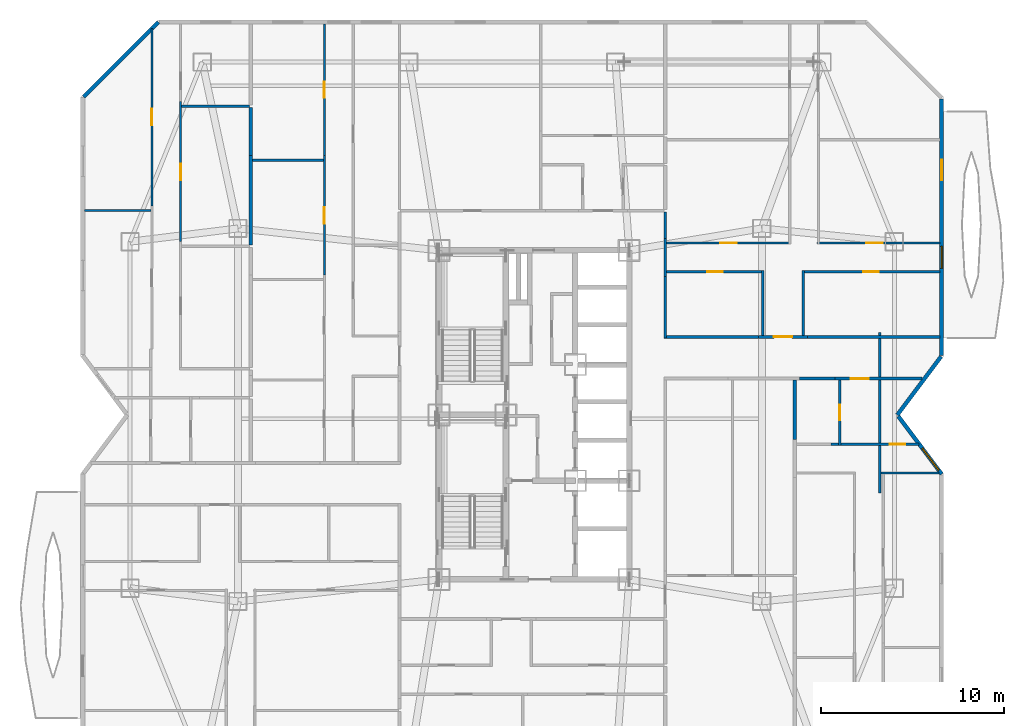
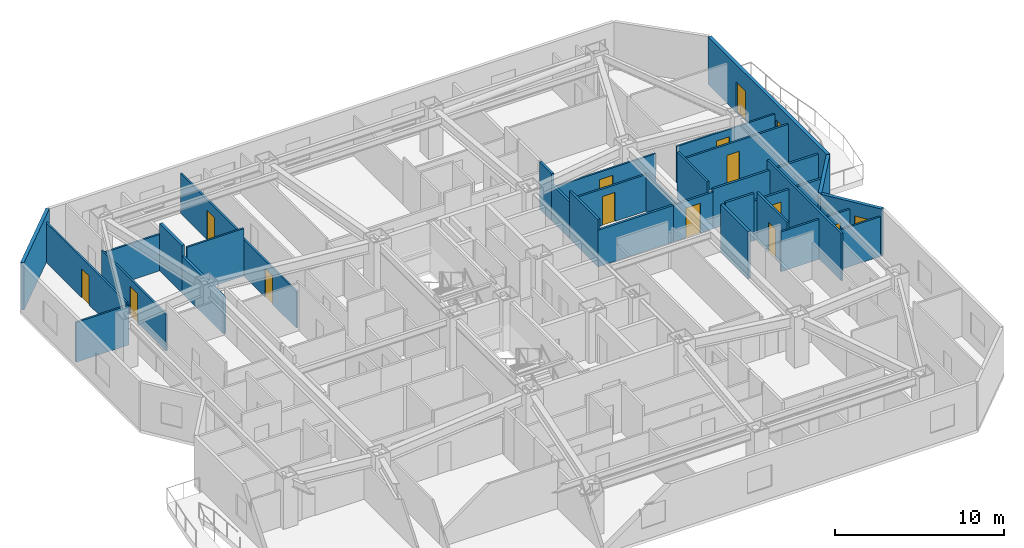
# One storey, part 11 of 15: 32 walls, 13 doors, 2 windows, 15 openings.
"""IFC4 building model written with IfcOpenShell, lengths in metres."""

import ifcopenshell
import ifcopenshell.guid

model = None  # the IFC model being written
_history = None  # IfcOwnerHistory: only IFC2X3 demands one
_inside = {}  # id of a spatial element -> (the spatial element, [elements in it])
_under = {}  # id of a project, library or spatial element -> (it, [spatial elements below it])
_declared = {}  # id of a project -> (the project, [libraries it declares])
_typed = {}  # id of a type object -> (the type object, [elements of that type])
_made_of = {}  # id of a material, layer set ... -> (it, [elements and type objects made of it])


def new_model(schema):
    """Start an empty IFC model of exactly this schema.

    Asked for "IFC4X3", IfcOpenShell would pick the latest addendum, in which some entities
    have other attributes; the version numbers below select the first issue.
    IFC2X3 requires an IfcOwnerHistory on every rooted entity: one is made here for all.
    """
    global model, _history
    if schema == "IFC4X3":
        model = ifcopenshell.file(schema_version=(4, 3, 0, 0))
    else:
        model = ifcopenshell.file(schema=schema)
    _inside.clear()
    _under.clear()
    _declared.clear()
    _typed.clear()
    _made_of.clear()
    _history = None
    if model.schema == "IFC2X3":
        org = make("IfcOrganization", Name="unknown")
        user = make(
            "IfcPersonAndOrganization",
            ThePerson=make("IfcPerson", FamilyName="unknown"),
            TheOrganization=org,
        )
        app = make(
            "IfcApplication",
            ApplicationDeveloper=org,
            Version="unknown",
            ApplicationFullName="unknown",
            ApplicationIdentifier="unknown",
        )
        _history = make(
            "IfcOwnerHistory",
            OwningUser=user,
            OwningApplication=app,
            ChangeAction="ADDED",
            CreationDate=0,
        )
    return model


def make(cls, **values):
    """One entity of the class cls with the attributes given. An attribute that is None is left unset."""
    return model.create_entity(
        cls, **{name: value for name, value in values.items() if value is not None}
    )


def rooted(cls, **values):
    """An entity with a GlobalId (a new one), such as an element, a storey or a relation."""
    return make(cls, GlobalId=ifcopenshell.guid.new(), OwnerHistory=_history, **values)


def si_unit(unit_type, name, prefix=None):
    """IfcSIUnit, for example si_unit("LENGTHUNIT", "METRE", prefix="MILLI")."""
    return make("IfcSIUnit", UnitType=unit_type, Prefix=prefix, Name=name)


def assignment(units):
    """IfcUnitAssignment: the units of a project."""
    return None if units is None else make("IfcUnitAssignment", Units=units)


def point(xyz):
    """IfcCartesianPoint."""
    return None if xyz is None else make("IfcCartesianPoint", Coordinates=xyz)


def direction(xyz):
    """IfcDirection."""
    return None if xyz is None else make("IfcDirection", DirectionRatios=xyz)


def frame(location, z_axis=None, x_axis=None):
    """IfcAxis2Placement3D, a coordinate frame: its origin and axes. An axis left out is left unset."""
    return make(
        "IfcAxis2Placement3D",
        Location=point(location),
        Axis=direction(z_axis),
        RefDirection=direction(x_axis),
    )


def frame_2d(location, x_axis=None):
    """IfcAxis2Placement2D, a coordinate frame in the plane: its origin and x axis."""
    return make(
        "IfcAxis2Placement2D", Location=point(location), RefDirection=direction(x_axis)
    )


def origin():
    """The frame at (0, 0, 0) with its axes left unset."""
    return frame((0.0, 0.0, 0.0))


def place(relative_to, where):
    """IfcLocalPlacement: puts the frame where relative to a parent placement (None: the world)."""
    return make(
        "IfcLocalPlacement", PlacementRelTo=relative_to, RelativePlacement=where
    )


def context(
    kind, dimensions, precision=None, world=None, true_north=None, identifier=None
):
    """IfcGeometricRepresentationContext, for example the 3D "Model" context."""
    return make(
        "IfcGeometricRepresentationContext",
        ContextIdentifier=identifier,
        ContextType=kind,
        CoordinateSpaceDimension=dimensions,
        Precision=precision,
        WorldCoordinateSystem=world,
        TrueNorth=true_north,
    )


def subcontext(parent, identifier, kind, view, scale=None):
    """IfcGeometricRepresentationSubContext, for example "Body" below "Model"."""
    return make(
        "IfcGeometricRepresentationSubContext",
        ContextIdentifier=identifier,
        ContextType=kind,
        ParentContext=parent,
        TargetScale=scale,
        TargetView=view,
    )


def project(units=None, contexts=None):
    """IfcProject with its units and contexts."""
    return rooted(
        "IfcProject",
        Name="project",
        RepresentationContexts=contexts,
        UnitsInContext=assignment(units),
    )


def spatial(cls, under=None, at=None, **own):
    """A site, building, storey or space (cls), placed at a placement, below another one or the project."""
    s = rooted(cls, ObjectPlacement=at, **own)
    if under is not None:
        _under.setdefault(under.id(), (under, []))[1].append(s)
    return s


def profile(cls, at=None, kind="AREA", **sizes):
    """A parametric profile (cls). Its sizes go by their IFC names, for example OverallWidth=200.0."""
    return make(cls, ProfileType=kind, Position=at, **sizes)


def rectangle(**sizes):
    """IfcRectangleProfileDef."""
    return profile("IfcRectangleProfileDef", **sizes)


def extrude(swept, where, along, depth):
    """IfcExtrudedAreaSolid: the profile swept, set in the frame where, extruded along a direction by depth."""
    return make(
        "IfcExtrudedAreaSolid",
        SweptArea=swept,
        Position=where,
        ExtrudedDirection=direction(along),
        Depth=depth,
    )


def shape(context_of_items, identifier, shape_type, items):
    """IfcShapeRepresentation: the items that make up one representation, for example the "Body"."""
    return make(
        "IfcShapeRepresentation",
        ContextOfItems=context_of_items,
        RepresentationIdentifier=identifier,
        RepresentationType=shape_type,
        Items=items,
    )


def material(Name=None, Category=None):
    """IfcMaterial."""
    return make("IfcMaterial", Name=Name, Category=Category)


def layer(
    of_material, thickness, ventilated=None, Name=None, Category=None, Priority=None
):
    """IfcMaterialLayer: one layer of a wall or slab, of a material (None: an air gap)."""
    return make(
        "IfcMaterialLayer",
        Material=of_material,
        LayerThickness=thickness,
        IsVentilated=ventilated,
        Name=Name,
        Category=Category,
        Priority=Priority,
    )


def layer_set(layers, Name=None):
    """IfcMaterialLayerSet."""
    return make("IfcMaterialLayerSet", MaterialLayers=layers, LayerSetName=Name)


def made_of(thing, what):
    """Note that an element or type object is made of a material, layer set ...; save() writes the relation."""
    if what is not None:
        _made_of.setdefault(what.id(), (what, []))[1].append(thing)
    return thing


def type_object(cls, material=None, **own):
    """A type object (cls), such as IfcWallType, which elements share."""
    return made_of(rooted(cls, **own), material)


def element(
    cls,
    number,
    at=None,
    inside=None,
    cuts=None,
    type_object=None,
    material=None,
    context=None,
    identifier="Body",
    shape_type=None,
    held_by="IfcProductDefinitionShape",
    body=None,
    shapes=None,
    **own,
):
    """One element of the class cls, such as IfcWall. Its Tag is "e" and its number.

    at: its placement. inside: the storey or other place that contains it. cuts: it is an
    opening in that element (IfcRelVoidsElement). A single representation is given by context,
    identifier, shape_type and body (its items); several are given by shapes. held_by: the class
    of the entity that holds the representations. save() writes the other relations.
    """
    e = rooted(cls, Tag="e%d" % number, ObjectPlacement=at, **own)
    if body is not None:
        shapes = [shape(context, identifier, shape_type, body)]
    if shapes is not None:
        e.Representation = make(held_by, Representations=shapes)
    if inside is not None:
        _inside.setdefault(inside.id(), (inside, []))[1].append(e)
    if cuts is not None:
        rooted(
            "IfcRelVoidsElement", RelatingBuildingElement=cuts, RelatedOpeningElement=e
        )
    if type_object is not None:
        _typed.setdefault(type_object.id(), (type_object, []))[1].append(e)
    return made_of(e, material)


def fill(opening, filler):
    """IfcRelFillsElement: the door or window that sits in an opening."""
    return rooted(
        "IfcRelFillsElement",
        RelatingOpeningElement=opening,
        RelatedBuildingElement=filler,
    )


def aggregate(whole, parts):
    """IfcRelAggregates: a whole, such as a stair, and the parts it consists of."""
    return rooted("IfcRelAggregates", RelatingObject=whole, RelatedObjects=parts)


def save(model, path):
    """Write the relations noted so far, then the file.

    IfcRelAggregates (storeys below a building ...), IfcRelContainedInSpatialStructure (elements
    in a storey), IfcRelDefinesByType, IfcRelAssociatesMaterial and IfcRelDeclares: one each for
    every whole, place, type object, material and project.
    """
    for whole, parts in _under.values():
        aggregate(whole, parts)
    for where, things in _inside.values():
        rooted(
            "IfcRelContainedInSpatialStructure",
            RelatedElements=things,
            RelatingStructure=where,
        )
    for kind, things in _typed.values():
        rooted("IfcRelDefinesByType", RelatedObjects=things, RelatingType=kind)
    for what, things in _made_of.values():
        rooted("IfcRelAssociatesMaterial", RelatedObjects=things, RelatingMaterial=what)
    for by, libraries in _declared.values():
        rooted("IfcRelDeclares", RelatingContext=by, RelatedDefinitions=libraries)
    model.write(path)


model = new_model("IFC4")

# Units and contexts
model_context = context("Model", 3, precision=1e-05, world=origin(), true_north=direction((0.0, 1.0)))
body_context = subcontext(model_context, "Body", "Model", "MODEL_VIEW")
ifc_project = project(units=[si_unit("LENGTHUNIT", "METRE"), si_unit("AREAUNIT", "SQUARE_METRE"), si_unit("VOLUMEUNIT", "CUBIC_METRE"), si_unit("PLANEANGLEUNIT", "RADIAN"), si_unit("MASSUNIT", "GRAM", prefix="KILO")], contexts=[model_context])

# Site, building, storey
site_placement = place(None, origin())
site = spatial("IfcSite", under=ifc_project, at=site_placement, CompositionType="ELEMENT")
building_placement = place(site_placement, origin())
building = spatial("IfcBuilding", under=site, at=building_placement, Name="Khamvora Tower", CompositionType="ELEMENT")
storey_placement = place(building_placement, frame((0.0, 0.0, 112.85009765625)))
storey = spatial("IfcBuildingStorey", under=building, at=storey_placement, Name="L28", CompositionType="ELEMENT", Elevation=112.85009765625)

# Wall, opening, door
ifc_material_1 = material(Name="Fire-Rated Drywall and Steel Stud", Category="steel")
ifc_layer_1 = layer(ifc_material_1, 0.14990234375)
ifc_layer_set_1 = layer_set([ifc_layer_1], Name="Fire-Rated Drywall and Steel Stud")
wall_type_1 = type_object("IfcWallType", Name="WAL-CORR-150", PredefinedType="STANDARD", material=ifc_layer_set_1)
wall_1_placement = place(storey_placement, frame((55.424072265625, 29.985107421875, 0.0), z_axis=(0.0, 0.0, 1.0), x_axis=(-1.0, 0.0, 0.0)))
wall_1 = element("IfcWall", 1, at=wall_1_placement, inside=storey, type_object=wall_type_1, Name="L28 interior partition wall 036", PredefinedType="STANDARD", context=body_context, shape_type="SweptSolid", body=[
    extrude(rectangle(XDim=4.759033203125, YDim=0.14990234375, at=frame_2d((2.37939453125, 0.0))), origin(), (0.0, 0.0, 1.0), 2.8759765625),
])
opening_1_placement = place(wall_1_placement, frame((2.909912109375, 0.0, 0.0)))
opening_1 = element("IfcOpeningElement", 2, at=opening_1_placement, cuts=wall_1, Name="Opening D-U1", PredefinedType="OPENING", context=body_context, shape_type="SweptSolid", body=[
    extrude(rectangle(XDim=1.0, YDim=2.14990234375, at=frame_2d((0.5, 1.074951171875))), frame((0.0, 0.0849609375, 0.0), z_axis=(0.0, -1.0, 0.0), x_axis=(1.0, 0.0, 0.0)), (0.0, 0.0, 1.0), 0.169921875),
])
ifc_material_2 = material(Name="Powder-Coated Steel and Hardwood Leaf", Category="steel")
door_type_1 = type_object("IfcDoorType", Name="DOR-UNIT-1000", OperationType="NOTDEFINED", PredefinedType="DOOR", material=ifc_material_2)
door_1_placement = place(opening_1_placement, origin())
door_1 = element("IfcDoor", 3, at=door_1_placement, inside=storey, type_object=door_type_1, Name="L28 interior door COR-28EBH", OperationType="SINGLE_SWING_RIGHT", OverallHeight=2.14990234375, OverallWidth=1.0, PredefinedType="DOOR", context=body_context, shape_type="SweptSolid", body=[
    extrude(rectangle(XDim=1.0, YDim=2.14990234375, at=frame_2d((0.5, 1.074951171875))), frame((0.0, 0.02490234375, 0.0), z_axis=(0.0, -1.0, 0.0), x_axis=(1.0, 0.0, 0.0)), (0.0, 0.0, 1.0), 0.050048828125),
])
fill(opening_1, door_1)

# Walls
wall_2_placement = place(storey_placement, frame((50.6650390625, 29.985107421875, 0.0), z_axis=(0.0, 0.0, 1.0), x_axis=(-1.0, 0.0, 0.0)))
element("IfcWall", 4, at=wall_2_placement, inside=storey, type_object=wall_type_1, Name="L28 interior partition wall 037", PredefinedType="STANDARD", context=body_context, shape_type="SweptSolid", body=[
    extrude(rectangle(XDim=1.9560546875, YDim=0.14990234375, at=frame_2d((0.97802734375, 0.0))), origin(), (0.0, 0.0, 1.0), 3.429931640625),
])
wall_3_placement = place(storey_placement, frame((41.364990234375, 37.653076171875, 0.0), z_axis=(0.0, 0.0, 1.0), x_axis=(0.0, -1.0, 0.0)))
element("IfcWall", 5, at=wall_3_placement, inside=storey, type_object=wall_type_1, Name="L28 interior partition wall 038", PredefinedType="STANDARD", context=body_context, shape_type="SweptSolid", body=[
    extrude(rectangle(XDim=2.078125, YDim=0.14990234375, at=frame_2d((1.0390625, 0.0))), origin(), (0.0, 0.0, 1.0), 2.64697265625),
])

# Wall, opening, door
wall_4_placement = place(storey_placement, frame((46.4609375, 32.264892578125, 0.0), z_axis=(0.0, 0.0, 1.0), x_axis=(1.0, 0.0, 0.0)))
wall_4 = element("IfcWall", 6, at=wall_4_placement, inside=storey, type_object=wall_type_1, Name="L28 interior partition wall 039", PredefinedType="STANDARD", context=body_context, shape_type="SweptSolid", body=[
    extrude(rectangle(XDim=2.697998046875, YDim=0.14990234375, at=frame_2d((1.34912109375, 0.0))), origin(), (0.0, 0.0, 1.0), 2.64697265625),
])
opening_2_placement = place(wall_4_placement, frame((0.84912109375, 0.0, 0.0)))
opening_2 = element("IfcOpeningElement", 7, at=opening_2_placement, cuts=wall_4, Name="Opening D-U1", PredefinedType="OPENING", context=body_context, shape_type="SweptSolid", body=[
    extrude(rectangle(XDim=1.0, YDim=2.14990234375, at=frame_2d((0.5, 1.074951171875))), frame((0.0, 0.0849609375, 0.0), z_axis=(0.0, -1.0, 0.0), x_axis=(1.0, 0.0, 0.0)), (0.0, 0.0, 1.0), 0.169921875),
])
door_2_placement = place(opening_2_placement, origin())
door_2 = element("IfcDoor", 8, at=door_2_placement, inside=storey, type_object=door_type_1, Name="L28 interior door COR-28ECH", OperationType="SINGLE_SWING_LEFT", OverallHeight=2.14990234375, OverallWidth=1.0, PredefinedType="DOOR", context=body_context, shape_type="SweptSolid", body=[
    extrude(rectangle(XDim=1.0, YDim=2.14990234375, at=frame_2d((0.5, 1.074951171875))), frame((0.0, 0.02490234375, 0.0), z_axis=(0.0, -1.0, 0.0), x_axis=(1.0, 0.0, 0.0)), (0.0, 0.0, 1.0), 0.050048828125),
])
fill(opening_2, door_2)

# Walls
wall_5_placement = place(storey_placement, frame((41.364990234375, 35.574951171875, 0.0), z_axis=(0.0, 0.0, 1.0), x_axis=(0.0, -1.0, 0.0)))
element("IfcWall", 9, at=wall_5_placement, inside=storey, type_object=wall_type_1, Name="L28 interior partition wall 040", PredefinedType="STANDARD", context=body_context, shape_type="SweptSolid", body=[
    extrude(rectangle(XDim=3.375, YDim=0.14990234375, at=frame_2d((1.6875, 0.0))), origin(), (0.0, 0.0, 1.0), 3.429931640625),
])
wall_6_placement = place(storey_placement, frame((41.300048828125, 32.264892578125, 0.0), z_axis=(0.0, 0.0, 1.0), x_axis=(1.0, 0.0, 0.0)))
element("IfcWall", 10, at=wall_6_placement, inside=storey, type_object=wall_type_1, Name="L28 interior partition wall 041", PredefinedType="STANDARD", context=body_context, shape_type="SweptSolid", body=[
    extrude(rectangle(XDim=5.160888671875, YDim=0.14990234375, at=frame_2d((2.58056640625, 0.0))), origin(), (0.0, 0.0, 1.0), 2.64697265625),
])
wall_7_placement = place(storey_placement, frame((49.158935546875, 32.264892578125, 0.0), z_axis=(0.0, 0.0, 1.0), x_axis=(1.0, 0.0, 0.0)))
element("IfcWall", 11, at=wall_7_placement, inside=storey, type_object=wall_type_1, Name="L28 interior partition wall 042", PredefinedType="STANDARD", context=body_context, shape_type="SweptSolid", body=[
    extrude(rectangle(XDim=7.22900390625, YDim=0.14990234375, at=frame_2d((3.614501953125, 0.0))), origin(), (0.0, 0.0, 1.0), 2.8759765625),
])
wall_8_placement = place(storey_placement, frame((41.364990234375, 39.10009765625, 0.0), z_axis=(0.0, 0.0, 1.0), x_axis=(0.0, -1.0, 0.0)))
element("IfcWall", 12, at=wall_8_placement, inside=storey, type_object=wall_type_1, Name="L28 interior partition wall 043", PredefinedType="STANDARD", context=body_context, shape_type="SweptSolid", body=[
    extrude(rectangle(XDim=1.447021484375, YDim=0.14990234375, at=frame_2d((0.7236328125, 0.0))), origin(), (0.0, 0.0, 1.0), 3.429931640625),
])
ifc_material_3 = material(Name="Acoustic Double-Stud Fire Wall", Category="gypsum")
ifc_layer_2 = layer(ifc_material_3, 0.179931640625)
ifc_layer_set_2 = layer_set([ifc_layer_2], Name="Acoustic Double-Stud Fire Wall")
wall_type_2 = type_object("IfcWallType", Name="WAL-CORR-180", PredefinedType="STANDARD", material=ifc_layer_set_2)
wall_9_placement = place(storey_placement, frame((18.705078125, 42.180908203125, 0.0), z_axis=(0.0, 0.0, 1.0), x_axis=(0.0, -1.0, 0.0)))
element("IfcWall", 13, at=wall_9_placement, inside=storey, type_object=wall_type_2, Name="L28 interior partition wall 085", PredefinedType="STANDARD", context=body_context, shape_type="SweptSolid", body=[
    extrude(rectangle(XDim=4.887939453125, YDim=0.179931640625, at=frame_2d((2.44384765625, 0.0))), origin(), (0.0, 0.0, 1.0), 2.64697265625),
])
wall_10_placement = place(storey_placement, frame((18.705078125, 44.81494140625, 0.0), z_axis=(0.0, 0.0, 1.0), x_axis=(0.0, -1.0, 0.0)))
element("IfcWall", 14, at=wall_10_placement, inside=storey, type_object=wall_type_2, Name="L28 interior partition wall 086", PredefinedType="STANDARD", context=body_context, shape_type="SweptSolid", body=[
    extrude(rectangle(XDim=2.634033203125, YDim=0.179931640625, at=frame_2d((1.31689453125, 0.0))), origin(), (0.0, 0.0, 1.0), 3.429931640625),
])
wall_11_placement = place(storey_placement, frame((48.4599609375, 29.91796875, 0.0), z_axis=(0.0, 0.0, 1.0), x_axis=(0.0, -1.0, 0.0)))
element("IfcWall", 15, at=wall_11_placement, inside=storey, type_object=wall_type_2, Name="L28 interior partition wall 128", PredefinedType="STANDARD", context=body_context, shape_type="SweptSolid", body=[
    extrude(rectangle(XDim=3.263916015625, YDim=0.179931640625, at=frame_2d((1.6318359375, 0.0))), origin(), (0.0, 0.0, 1.0), 3.429931640625),
])
ifc_material_4 = material(Name="Precast concrete C40/50", Category="concrete")
ifc_layer_3 = layer(ifc_material_4, 0.219970703125)
ifc_layer_set_3 = layer_set([ifc_layer_3], Name="Precast concrete C40/50")
wall_type_3 = type_object("IfcWallType", Name="WAL-EXT-220", PredefinedType="STANDARD", material=ifc_layer_set_3)
wall_12_placement = place(storey_placement, frame((9.55810546875, 45.402099609375, 0.0), z_axis=(0.0, 0.0, 1.0), x_axis=(0.707106781187, 0.707106781187, 0.0)))
element("IfcWall", 16, at=wall_12_placement, inside=storey, type_object=wall_type_3, Name="L28 exterior facade wall 06.1", PredefinedType="STANDARD", context=body_context, shape_type="SweptSolid", body=[
    extrude(rectangle(XDim=5.78125, YDim=0.219970703125, at=frame_2d((2.890625, 0.0))), origin(), (0.0, 0.0, 1.0), 3.429931640625),
])

# Wall, openings, door, window
wall_13_placement = place(storey_placement, frame((56.489990234375, 45.282958984375, 0.0), z_axis=(0.0, 0.0, 1.0), x_axis=(0.0, -1.0, 0.0)))
wall_13 = element("IfcWall", 17, at=wall_13_placement, inside=storey, type_object=wall_type_3, Name="L28 exterior facade wall 09.1", PredefinedType="STANDARD", context=body_context, shape_type="SweptSolid", body=[
    extrude(rectangle(XDim=14.0458984375, YDim=0.219970703125, at=frame_2d((7.02294921875, 0.0))), origin(), (0.0, 0.0, 1.0), 3.429931640625),
])
opening_3_placement = place(wall_13_placement, frame((3.3349609375, 0.0, 0.0)))
opening_3 = element("IfcOpeningElement", 18, at=opening_3_placement, cuts=wall_13, Name="Opening BD-01", PredefinedType="OPENING", context=body_context, shape_type="SweptSolid", body=[
    extrude(rectangle(XDim=1.10009765625, YDim=2.199951171875, at=frame_2d((0.550048828125, 1.10009765625))), frame((0.0, 0.119873046875, 0.0), z_axis=(0.0, -1.0, 0.0), x_axis=(1.0, 0.0, 0.0)), (0.0, 0.0, 1.0), 0.239990234375),
])
opening_4_placement = place(wall_13_placement, frame((8.069091796875, 0.0, 0.800048828125)))
opening_4 = element("IfcOpeningElement", 19, at=opening_4_placement, cuts=wall_13, Name="Opening WN-03", PredefinedType="OPENING", context=body_context, shape_type="SweptSolid", body=[
    extrude(rectangle(XDim=1.199951171875, YDim=1.5, at=frame_2d((0.60009765625, 0.75))), frame((0.0, 0.119873046875, 0.0), z_axis=(0.0, -1.0, 0.0), x_axis=(1.0, 0.0, 0.0)), (0.0, 0.0, 1.0), 0.239990234375),
])
ifc_material_5 = material(Name="Anodised Aluminium and Laminated Safety Glass", Category="aluminium")
door_type_2 = type_object("IfcDoorType", Name="DOR-BAL-1100", OperationType="NOTDEFINED", PredefinedType="DOOR", material=ifc_material_5)
door_3_placement = place(opening_3_placement, origin())
door_3 = element("IfcDoor", 20, at=door_3_placement, inside=storey, type_object=door_type_2, Name="L28 lens gallery balcony door EL2", OperationType="SLIDING_TO_LEFT", OverallHeight=2.199951171875, OverallWidth=1.10009765625, PredefinedType="DOOR", context=body_context, shape_type="SweptSolid", body=[
    extrude(rectangle(XDim=1.10009765625, YDim=2.199951171875, at=frame_2d((0.550048828125, 1.10009765625))), frame((0.0, 0.02490234375, 0.0), z_axis=(0.0, -1.0, 0.0), x_axis=(1.0, 0.0, 0.0)), (0.0, 0.0, 1.0), 0.050048828125),
])
fill(opening_3, door_3)
ifc_material_6 = material(Name="Low-E Laminated Double Glazing", Category="glass")
window_type_1 = type_object("IfcWindowType", Name="WIN-VIS-1200x1500", PartitioningType="SINGLE_PANEL", PredefinedType="WINDOW", material=ifc_material_6)
window_1_placement = place(opening_4_placement, origin())
window_1 = element("IfcWindow", 21, at=window_1_placement, inside=storey, type_object=window_type_1, Name="L28 vision window 09.1.01", OverallHeight=1.5, OverallWidth=1.199951171875, PartitioningType="SINGLE_PANEL", PredefinedType="WINDOW", context=body_context, shape_type="SweptSolid", body=[
    extrude(rectangle(XDim=1.199951171875, YDim=1.5, at=frame_2d((0.60009765625, 0.75))), frame((0.0, 0.030029296875, 0.0), z_axis=(0.0, -1.0, 0.0), x_axis=(1.0, 0.0, 0.0)), (0.0, 0.0, 1.0), 0.06005859375),
])
fill(opening_4, window_1)

# Wall
wall_14_placement = place(storey_placement, frame((56.4560546875, 31.19091796875, 0.0), z_axis=(0.0, 0.0, 1.0), x_axis=(-0.600137081448, -0.799897170561, 0.0)))
element("IfcWall", 22, at=wall_14_placement, inside=storey, type_object=wall_type_3, Name="L28 exterior facade wall 10.1", PredefinedType="STANDARD", context=body_context, shape_type="SweptSolid", body=[
    extrude(rectangle(XDim=3.9892578125, YDim=0.219970703125, at=frame_2d((1.99462890625, 0.0))), origin(), (0.0, 0.0, 1.0), 3.429931640625),
])

# Wall, opening, window
wall_15_placement = place(storey_placement, frame((54.118896484375, 27.924072265625, 0.0), z_axis=(0.0, 0.0, 1.0), x_axis=(0.600039540588, -0.799970343032, 0.0)))
wall_15 = element("IfcWall", 23, at=wall_15_placement, inside=storey, type_object=wall_type_3, Name="L28 exterior facade wall 11.1", PredefinedType="STANDARD", context=body_context, shape_type="SweptSolid", body=[
    extrude(rectangle(XDim=3.95166015625, YDim=0.219970703125, at=frame_2d((1.975830078125, 0.0))), origin(), (0.0, 0.0, 1.0), 3.429931640625),
])
opening_5_placement = place(wall_15_placement, frame((2.18408203125, 0.0, 0.85009765625)))
opening_5 = element("IfcOpeningElement", 24, at=opening_5_placement, cuts=wall_15, Name="Opening WN-02", PredefinedType="OPENING", context=body_context, shape_type="SweptSolid", body=[
    extrude(rectangle(XDim=1.5, YDim=1.60009765625, at=frame_2d((0.75, 0.800048828125))), frame((0.0, 0.119873046875, 0.0), z_axis=(0.0, -1.0, 0.0), x_axis=(1.0, 0.0, 0.0)), (0.0, 0.0, 1.0), 0.239990234375),
])
window_type_2 = type_object("IfcWindowType", Name="WIN-VIS-1500x1600", PartitioningType="SINGLE_PANEL", PredefinedType="WINDOW", material=ifc_material_6)
window_2_placement = place(opening_5_placement, origin())
window_2 = element("IfcWindow", 25, at=window_2_placement, inside=storey, type_object=window_type_2, Name="L28 vision window 11.1.01", OverallHeight=1.60009765625, OverallWidth=1.5, PartitioningType="SINGLE_PANEL", PredefinedType="WINDOW", context=body_context, shape_type="SweptSolid", body=[
    extrude(rectangle(XDim=1.5, YDim=1.60009765625, at=frame_2d((0.75, 0.800048828125))), frame((0.0, 0.030029296875, 0.0), z_axis=(0.0, -1.0, 0.0), x_axis=(1.0, 0.0, 0.0)), (0.0, 0.0, 1.0), 0.06005859375),
])
fill(opening_5, window_2)

# Wall, opening, door
ifc_material_7 = material(Name="Gypsum Plasterboard Partition", Category="gypsum")
ifc_layer_4 = layer(ifc_material_7, 0.1201171875)
ifc_layer_set_4 = layer_set([ifc_layer_4], Name="Gypsum Plasterboard Partition")
wall_type_4 = type_object("IfcWallType", Name="WAL-PART-120", PredefinedType="PARTITIONING", material=ifc_layer_set_4)
wall_16_placement = place(storey_placement, frame((13.2900390625, 39.423095703125, 0.0), z_axis=(0.0, 0.0, 1.0), x_axis=(0.0, 1.0, 0.0)))
wall_16 = element("IfcWall", 26, at=wall_16_placement, inside=storey, type_object=wall_type_4, Name="L28 interior partition wall 072", PredefinedType="PARTITIONING", context=body_context, shape_type="SweptSolid", body=[
    extrude(rectangle(XDim=9.719970703125, YDim=0.1201171875, at=frame_2d((4.85986328125, 0.0))), origin(), (0.0, 0.0, 1.0), 2.8759765625),
])
opening_6_placement = place(wall_16_placement, frame((4.409912109375, 0.0, 0.0)))
opening_6 = element("IfcOpeningElement", 27, at=opening_6_placement, cuts=wall_16, Name="Opening D-RM1", PredefinedType="OPENING", context=body_context, shape_type="SweptSolid", body=[
    extrude(rectangle(XDim=0.89990234375, YDim=2.10009765625, at=frame_2d((0.449951171875, 1.050048828125))), frame((0.0, 0.070068359375, 0.0), z_axis=(0.0, -1.0, 0.0), x_axis=(1.0, 0.0, 0.0)), (0.0, 0.0, 1.0), 0.14013671875),
])
door_type_3 = type_object("IfcDoorType", Name="DOR-ROOM-900", OperationType="NOTDEFINED", PredefinedType="DOOR", material=ifc_material_2)
door_4_placement = place(opening_6_placement, origin())
door_4 = element("IfcDoor", 28, at=door_4_placement, inside=storey, type_object=door_type_3, Name="L28 interior door 28WBH-28WBR2", OperationType="SINGLE_SWING_RIGHT", OverallHeight=2.10009765625, OverallWidth=0.89990234375, PredefinedType="DOOR", context=body_context, shape_type="SweptSolid", body=[
    extrude(rectangle(XDim=0.89990234375, YDim=2.10009765625, at=frame_2d((0.449951171875, 1.050048828125))), frame((0.0, 0.02490234375, 0.0), z_axis=(0.0, -1.0, 0.0), x_axis=(1.0, 0.0, 0.0)), (0.0, 0.0, 1.0), 0.050048828125),
])
fill(opening_6, door_4)

wall_17_placement = place(storey_placement, frame((14.860107421875, 45.12890625, 0.0), z_axis=(0.0, 0.0, 1.0), x_axis=(0.0, -1.0, 0.0)))
wall_17 = element("IfcWall", 29, at=wall_17_placement, inside=storey, type_object=wall_type_4, Name="L28 interior partition wall 075", PredefinedType="PARTITIONING", context=body_context, shape_type="SweptSolid", body=[
    extrude(rectangle(XDim=7.65185546875, YDim=0.1201171875, at=frame_2d((3.825927734375, 0.0))), origin(), (0.0, 0.0, 1.0), 2.64697265625),
])
opening_7_placement = place(wall_17_placement, frame((3.39697265625, 0.0, 0.0)))
opening_7 = element("IfcOpeningElement", 30, at=opening_7_placement, cuts=wall_17, Name="Opening D-RM1", PredefinedType="OPENING", context=body_context, shape_type="SweptSolid", body=[
    extrude(rectangle(XDim=0.89990234375, YDim=2.10009765625, at=frame_2d((0.449951171875, 1.050048828125))), frame((0.0, 0.070068359375, 0.0), z_axis=(0.0, -1.0, 0.0), x_axis=(1.0, 0.0, 0.0)), (0.0, 0.0, 1.0), 0.14013671875),
])
door_5_placement = place(opening_7_placement, origin())
door_5 = element("IfcDoor", 31, at=door_5_placement, inside=storey, type_object=door_type_3, Name="L28 interior door 28WBH-28WBR4", OperationType="SINGLE_SWING_RIGHT", OverallHeight=2.10009765625, OverallWidth=0.89990234375, PredefinedType="DOOR", context=body_context, shape_type="SweptSolid", body=[
    extrude(rectangle(XDim=0.89990234375, YDim=2.10009765625, at=frame_2d((0.449951171875, 1.050048828125))), frame((0.0, 0.02490234375, 0.0), z_axis=(0.0, -1.0, 0.0), x_axis=(1.0, 0.0, 0.0)), (0.0, 0.0, 1.0), 0.050048828125),
])
fill(opening_7, door_5)

# Walls
wall_18_placement = place(storey_placement, frame((9.612060546875, 39.174072265625, 0.0), z_axis=(0.0, 0.0, 1.0), x_axis=(1.0, 0.0, 0.0)))
element("IfcWall", 32, at=wall_18_placement, inside=storey, type_object=wall_type_4, Name="L28 interior partition wall 080", PredefinedType="PARTITIONING", context=body_context, shape_type="SweptSolid", body=[
    extrude(rectangle(XDim=3.6240234375, YDim=0.1201171875, at=frame_2d((1.81201171875, 0.0))), origin(), (0.0, 0.0, 1.0), 2.8759765625),
])
wall_19_placement = place(storey_placement, frame((14.9140625, 44.8798828125, 0.0), z_axis=(0.0, 0.0, 1.0), x_axis=(1.0, 0.0, 0.0)))
element("IfcWall", 33, at=wall_19_placement, inside=storey, type_object=wall_type_4, Name="L28 interior partition wall 084", PredefinedType="PARTITIONING", context=body_context, shape_type="SweptSolid", body=[
    extrude(rectangle(XDim=3.725830078125, YDim=0.1201171875, at=frame_2d((1.86279296875, 0.0))), origin(), (0.0, 0.0, 1.0), 2.64697265625),
])

# Wall, opening, door
wall_20_placement = place(storey_placement, frame((22.72509765625, 35.652099609375, 0.0), z_axis=(0.0, 0.0, 1.0), x_axis=(0.0, 1.0, 0.0)))
wall_20 = element("IfcWall", 34, at=wall_20_placement, inside=storey, type_object=wall_type_4, Name="L28 interior partition wall 096", PredefinedType="PARTITIONING", context=body_context, shape_type="SweptSolid", body=[
    extrude(rectangle(XDim=6.52880859375, YDim=0.1201171875, at=frame_2d((3.264404296875, 0.0))), origin(), (0.0, 0.0, 1.0), 2.64697265625),
])
opening_8_placement = place(wall_20_placement, frame((2.79296875, 0.0, 0.0)))
opening_8 = element("IfcOpeningElement", 35, at=opening_8_placement, cuts=wall_20, Name="Opening D-RM1", PredefinedType="OPENING", context=body_context, shape_type="SweptSolid", body=[
    extrude(rectangle(XDim=0.89990234375, YDim=2.10009765625, at=frame_2d((0.449951171875, 1.050048828125))), frame((0.0, 0.070068359375, 0.0), z_axis=(0.0, -1.0, 0.0), x_axis=(1.0, 0.0, 0.0)), (0.0, 0.0, 1.0), 0.14013671875),
])
door_6_placement = place(opening_8_placement, origin())
door_6 = element("IfcDoor", 36, at=door_6_placement, inside=storey, type_object=door_type_3, Name="L28 interior door 28WCH-28WCR3", OperationType="SINGLE_SWING_LEFT", OverallHeight=2.10009765625, OverallWidth=0.89990234375, PredefinedType="DOOR", context=body_context, shape_type="SweptSolid", body=[
    extrude(rectangle(XDim=0.89990234375, YDim=2.10009765625, at=frame_2d((0.449951171875, 1.050048828125))), frame((0.0, 0.02490234375, 0.0), z_axis=(0.0, -1.0, 0.0), x_axis=(1.0, 0.0, 0.0)), (0.0, 0.0, 1.0), 0.050048828125),
])
fill(opening_8, door_6)

wall_21_placement = place(storey_placement, frame((22.72509765625, 42.180908203125, 0.0), z_axis=(0.0, 0.0, 1.0), x_axis=(0.0, 1.0, 0.0)))
wall_21 = element("IfcWall", 37, at=wall_21_placement, inside=storey, type_object=wall_type_4, Name="L28 interior partition wall 097", PredefinedType="PARTITIONING", context=body_context, shape_type="SweptSolid", body=[
    extrude(rectangle(XDim=7.20703125, YDim=0.1201171875, at=frame_2d((3.603515625, 0.0))), origin(), (0.0, 0.0, 1.0), 2.8759765625),
])
opening_9_placement = place(wall_21_placement, frame((3.153076171875, 0.0, 0.0)))
opening_9 = element("IfcOpeningElement", 38, at=opening_9_placement, cuts=wall_21, Name="Opening D-RM1", PredefinedType="OPENING", context=body_context, shape_type="SweptSolid", body=[
    extrude(rectangle(XDim=0.89990234375, YDim=2.10009765625, at=frame_2d((0.449951171875, 1.050048828125))), frame((0.0, 0.070068359375, 0.0), z_axis=(0.0, -1.0, 0.0), x_axis=(1.0, 0.0, 0.0)), (0.0, 0.0, 1.0), 0.14013671875),
])
door_7_placement = place(opening_9_placement, origin())
door_7 = element("IfcDoor", 39, at=door_7_placement, inside=storey, type_object=door_type_3, Name="L28 interior door 28WCH-28WCR4", OperationType="SINGLE_SWING_RIGHT", OverallHeight=2.10009765625, OverallWidth=0.89990234375, PredefinedType="DOOR", context=body_context, shape_type="SweptSolid", body=[
    extrude(rectangle(XDim=0.89990234375, YDim=2.10009765625, at=frame_2d((0.449951171875, 1.050048828125))), frame((0.0, 0.02490234375, 0.0), z_axis=(0.0, -1.0, 0.0), x_axis=(1.0, 0.0, 0.0)), (0.0, 0.0, 1.0), 0.050048828125),
])
fill(opening_9, door_7)

# Walls
wall_22_placement = place(storey_placement, frame((18.787109375, 41.931884765625, 0.0), z_axis=(0.0, 0.0, 1.0), x_axis=(1.0, 0.0, 0.0)))
element("IfcWall", 40, at=wall_22_placement, inside=storey, type_object=wall_type_4, Name="L28 interior partition wall 100", PredefinedType="PARTITIONING", context=body_context, shape_type="SweptSolid", body=[
    extrude(rectangle(XDim=3.8837890625, YDim=0.1201171875, at=frame_2d((1.94189453125, 0.0))), origin(), (0.0, 0.0, 1.0), 3.429931640625),
])
wall_23_placement = place(storey_placement, frame((56.33203125, 24.824951171875, 0.0), z_axis=(0.0, 0.0, 1.0), x_axis=(-1.0, 0.0, 0.0)))
element("IfcWall", 41, at=wall_23_placement, inside=storey, type_object=wall_type_4, Name="L28 interior partition wall 140", PredefinedType="PARTITIONING", context=body_context, shape_type="SweptSolid", body=[
    extrude(rectangle(XDim=3.156982421875, YDim=0.1201171875, at=frame_2d((1.57861328125, 0.0))), origin(), (0.0, 0.0, 1.0), 2.8759765625),
])

# Wall, opening, door
wall_24_placement = place(storey_placement, frame((41.431884765625, 37.404052734375, 0.0), z_axis=(0.0, 0.0, 1.0), x_axis=(1.0, 0.0, 0.0)))
wall_24 = element("IfcWall", 42, at=wall_24_placement, inside=storey, type_object=wall_type_4, Name="L28 interior partition wall 148", PredefinedType="PARTITIONING", context=body_context, shape_type="SweptSolid", body=[
    extrude(rectangle(XDim=6.80810546875, YDim=0.1201171875, at=frame_2d((3.404052734375, 0.0))), origin(), (0.0, 0.0, 1.0), 2.64697265625),
])
opening_10_placement = place(wall_24_placement, frame((2.9541015625, 0.0, 0.0)))
opening_10 = element("IfcOpeningElement", 43, at=opening_10_placement, cuts=wall_24, Name="Opening D-RM1", PredefinedType="OPENING", context=body_context, shape_type="SweptSolid", body=[
    extrude(rectangle(XDim=0.89990234375, YDim=2.10009765625, at=frame_2d((0.449951171875, 1.050048828125))), frame((0.0, 0.070068359375, 0.0), z_axis=(0.0, -1.0, 0.0), x_axis=(1.0, 0.0, 0.0)), (0.0, 0.0, 1.0), 0.14013671875),
])
door_8_placement = place(opening_10_placement, origin())
door_8 = element("IfcDoor", 44, at=door_8_placement, inside=storey, type_object=door_type_3, Name="L28 interior door 28ECH-28ECR1", OperationType="SINGLE_SWING_LEFT", OverallHeight=2.10009765625, OverallWidth=0.89990234375, PredefinedType="DOOR", context=body_context, shape_type="SweptSolid", body=[
    extrude(rectangle(XDim=0.89990234375, YDim=2.10009765625, at=frame_2d((0.449951171875, 1.050048828125))), frame((0.0, 0.02490234375, 0.0), z_axis=(0.0, -1.0, 0.0), x_axis=(1.0, 0.0, 0.0)), (0.0, 0.0, 1.0), 0.050048828125),
])
fill(opening_10, door_8)

wall_25_placement = place(storey_placement, frame((49.679931640625, 37.404052734375, 0.0), z_axis=(0.0, 0.0, 1.0), x_axis=(1.0, 0.0, 0.0)))
wall_25 = element("IfcWall", 45, at=wall_25_placement, inside=storey, type_object=wall_type_4, Name="L28 interior partition wall 152", PredefinedType="PARTITIONING", context=body_context, shape_type="SweptSolid", body=[
    extrude(rectangle(XDim=6.7080078125, YDim=0.1201171875, at=frame_2d((3.35400390625, 0.0))), origin(), (0.0, 0.0, 1.0), 2.64697265625),
])
opening_11_placement = place(wall_25_placement, frame((2.68603515625, 0.0, 0.0)))
opening_11 = element("IfcOpeningElement", 46, at=opening_11_placement, cuts=wall_25, Name="Opening D-RM1", PredefinedType="OPENING", context=body_context, shape_type="SweptSolid", body=[
    extrude(rectangle(XDim=0.89990234375, YDim=2.10009765625, at=frame_2d((0.449951171875, 1.050048828125))), frame((0.0, 0.070068359375, 0.0), z_axis=(0.0, -1.0, 0.0), x_axis=(1.0, 0.0, 0.0)), (0.0, 0.0, 1.0), 0.14013671875),
])
door_9_placement = place(opening_11_placement, origin())
door_9 = element("IfcDoor", 47, at=door_9_placement, inside=storey, type_object=door_type_3, Name="L28 interior door 28ECH-28ECR3", OperationType="SINGLE_SWING_LEFT", OverallHeight=2.10009765625, OverallWidth=0.89990234375, PredefinedType="DOOR", context=body_context, shape_type="SweptSolid", body=[
    extrude(rectangle(XDim=0.89990234375, YDim=2.10009765625, at=frame_2d((0.449951171875, 1.050048828125))), frame((0.0, 0.02490234375, 0.0), z_axis=(0.0, -1.0, 0.0), x_axis=(1.0, 0.0, 0.0)), (0.0, 0.0, 1.0), 0.050048828125),
])
fill(opening_11, door_9)

# Wall
ifc_material_8 = material(Name="Moisture-Resistant Plasterboard Partition", Category="gypsum")
ifc_layer_5 = layer(ifc_material_8, 0.135009765625)
ifc_layer_set_5 = layer_set([ifc_layer_5], Name="Moisture-Resistant Plasterboard Partition")
wall_type_5 = type_object("IfcWallType", Name="WAL-WET-135", PredefinedType="PARTITIONING", material=ifc_layer_set_5)
wall_26_placement = place(storey_placement, frame((53.114013671875, 32.52001953125, 0.0), z_axis=(0.0, 0.0, 1.0), x_axis=(0.0, -1.0, 0.0)))
element("IfcWall", 48, at=wall_26_placement, inside=storey, type_object=wall_type_5, Name="L28 interior partition wall 132", PredefinedType="PARTITIONING", context=body_context, shape_type="SweptSolid", body=[
    extrude(rectangle(XDim=8.780029296875, YDim=0.135009765625, at=frame_2d((4.39013671875, 0.0))), origin(), (0.0, 0.0, 1.0), 3.429931640625),
])

# Wall, opening, door
wall_27_placement = place(storey_placement, frame((50.448974609375, 26.405029296875, 0.0), z_axis=(0.0, 0.0, 1.0), x_axis=(1.0, 0.0, 0.0)))
wall_27 = element("IfcWall", 49, at=wall_27_placement, inside=storey, type_object=wall_type_5, Name="L28 interior partition wall 133", PredefinedType="PARTITIONING", context=body_context, shape_type="SweptSolid", body=[
    extrude(rectangle(XDim=4.794921875, YDim=0.135009765625, at=frame_2d((2.3974609375, 0.0))), origin(), (0.0, 0.0, 1.0), 2.8759765625),
])
opening_12_placement = place(wall_27_placement, frame((3.201904296875, 0.0, 0.0)))
opening_12 = element("IfcOpeningElement", 50, at=opening_12_placement, cuts=wall_27, Name="Opening D-WC1", PredefinedType="OPENING", context=body_context, shape_type="SweptSolid", body=[
    extrude(rectangle(XDim=0.85009765625, YDim=2.10009765625, at=frame_2d((0.425048828125, 1.050048828125))), frame((0.0, 0.077392578125, 0.0), z_axis=(0.0, -1.0, 0.0), x_axis=(1.0, 0.0, 0.0)), (0.0, 0.0, 1.0), 0.155029296875),
])
door_type_4 = type_object("IfcDoorType", Name="DOR-WET-850", OperationType="NOTDEFINED", PredefinedType="DOOR", material=ifc_material_2)
door_10_placement = place(opening_12_placement, origin())
door_10 = element("IfcDoor", 51, at=door_10_placement, inside=storey, type_object=door_type_4, Name="L28 interior door 28EBH-28EBB", OperationType="SINGLE_SWING_LEFT", OverallHeight=2.10009765625, OverallWidth=0.85009765625, PredefinedType="DOOR", context=body_context, shape_type="SweptSolid", body=[
    extrude(rectangle(XDim=0.85009765625, YDim=2.10009765625, at=frame_2d((0.425048828125, 1.050048828125))), frame((0.0, 0.02490234375, 0.0), z_axis=(0.0, -1.0, 0.0), x_axis=(1.0, 0.0, 0.0)), (0.0, 0.0, 1.0), 0.050048828125),
])
fill(opening_12, door_10)

wall_28_placement = place(storey_placement, frame((50.9140625, 26.340087890625, 0.0), z_axis=(0.0, 0.0, 1.0), x_axis=(0.0, 1.0, 0.0)))
wall_28 = element("IfcWall", 52, at=wall_28_placement, inside=storey, type_object=wall_type_5, Name="L28 interior partition wall 135", PredefinedType="PARTITIONING", context=body_context, shape_type="SweptSolid", body=[
    extrude(rectangle(XDim=3.577880859375, YDim=0.135009765625, at=frame_2d((1.7890625, 0.0))), origin(), (0.0, 0.0, 1.0), 3.429931640625),
])
opening_13_placement = place(wall_28_placement, frame((1.364013671875, 0.0, 0.0)))
opening_13 = element("IfcOpeningElement", 53, at=opening_13_placement, cuts=wall_28, Name="Opening D-RM2", PredefinedType="OPENING", context=body_context, shape_type="SweptSolid", body=[
    extrude(rectangle(XDim=0.85009765625, YDim=2.10009765625, at=frame_2d((0.425048828125, 1.050048828125))), frame((0.0, 0.077392578125, 0.0), z_axis=(0.0, -1.0, 0.0), x_axis=(1.0, 0.0, 0.0)), (0.0, 0.0, 1.0), 0.155029296875),
])
door_type_5 = type_object("IfcDoorType", Name="DOR-ROOM-850", OperationType="NOTDEFINED", PredefinedType="DOOR", material=ifc_material_2)
door_11_placement = place(opening_13_placement, origin())
door_11 = element("IfcDoor", 54, at=door_11_placement, inside=storey, type_object=door_type_5, Name="L28 interior door 28EBH-28EBK", OperationType="SINGLE_SWING_RIGHT", OverallHeight=2.10009765625, OverallWidth=0.85009765625, PredefinedType="DOOR", context=body_context, shape_type="SweptSolid", body=[
    extrude(rectangle(XDim=0.85009765625, YDim=2.10009765625, at=frame_2d((0.425048828125, 1.050048828125))), frame((0.0, 0.02490234375, 0.0), z_axis=(0.0, -1.0, 0.0), x_axis=(1.0, 0.0, 0.0)), (0.0, 0.0, 1.0), 0.050048828125),
])
fill(opening_13, door_11)

# Wall
wall_29_placement = place(storey_placement, frame((46.7099609375, 32.33203125, 0.0), z_axis=(0.0, 0.0, 1.0), x_axis=(0.0, 1.0, 0.0)))
element("IfcWall", 55, at=wall_29_placement, inside=storey, type_object=wall_type_5, Name="L28 interior partition wall 144", PredefinedType="PARTITIONING", context=body_context, shape_type="SweptSolid", body=[
    extrude(rectangle(XDim=3.556884765625, YDim=0.135009765625, at=frame_2d((1.7783203125, 0.0))), origin(), (0.0, 0.0, 1.0), 2.64697265625),
])

# Wall, opening, door
wall_30_placement = place(storey_placement, frame((46.77490234375, 35.823974609375, 0.0), z_axis=(0.0, 0.0, 1.0), x_axis=(-1.0, 0.0, 0.0)))
wall_30 = element("IfcWall", 56, at=wall_30_placement, inside=storey, type_object=wall_type_5, Name="L28 interior partition wall 145", PredefinedType="PARTITIONING", context=body_context, shape_type="SweptSolid", body=[
    extrude(rectangle(XDim=5.343017578125, YDim=0.135009765625, at=frame_2d((2.67138671875, 0.0))), origin(), (0.0, 0.0, 1.0), 2.64697265625),
])
opening_14_placement = place(wall_30_placement, frame((2.2470703125, 0.0, 0.0)))
opening_14 = element("IfcOpeningElement", 57, at=opening_14_placement, cuts=wall_30, Name="Opening D-WC1", PredefinedType="OPENING", context=body_context, shape_type="SweptSolid", body=[
    extrude(rectangle(XDim=0.85009765625, YDim=2.10009765625, at=frame_2d((0.425048828125, 1.050048828125))), frame((0.0, 0.077392578125, 0.0), z_axis=(0.0, -1.0, 0.0), x_axis=(1.0, 0.0, 0.0)), (0.0, 0.0, 1.0), 0.155029296875),
])
door_12_placement = place(opening_14_placement, origin())
door_12 = element("IfcDoor", 58, at=door_12_placement, inside=storey, type_object=door_type_4, Name="L28 interior door 28ECH-28ECB", OperationType="SINGLE_SWING_LEFT", OverallHeight=2.10009765625, OverallWidth=0.85009765625, PredefinedType="DOOR", context=body_context, shape_type="SweptSolid", body=[
    extrude(rectangle(XDim=0.85009765625, YDim=2.10009765625, at=frame_2d((0.425048828125, 1.050048828125))), frame((0.0, 0.02490234375, 0.0), z_axis=(0.0, -1.0, 0.0), x_axis=(1.0, 0.0, 0.0)), (0.0, 0.0, 1.0), 0.050048828125),
])
fill(opening_14, door_12)

wall_31_placement = place(storey_placement, frame((56.387939453125, 35.823974609375, 0.0), z_axis=(0.0, 0.0, 1.0), x_axis=(-1.0, 0.0, 0.0)))
wall_31 = element("IfcWall", 59, at=wall_31_placement, inside=storey, type_object=wall_type_5, Name="L28 interior partition wall 146", PredefinedType="PARTITIONING", context=body_context, shape_type="SweptSolid", body=[
    extrude(rectangle(XDim=7.54296875, YDim=0.135009765625, at=frame_2d((3.771484375, 0.0))), origin(), (0.0, 0.0, 1.0), 2.8759765625),
])
opening_15_placement = place(wall_31_placement, frame((3.346923828125, 0.0, 0.0)))
opening_15 = element("IfcOpeningElement", 60, at=opening_15_placement, cuts=wall_31, Name="Opening D-RM2", PredefinedType="OPENING", context=body_context, shape_type="SweptSolid", body=[
    extrude(rectangle(XDim=0.85009765625, YDim=2.10009765625, at=frame_2d((0.425048828125, 1.050048828125))), frame((0.0, 0.077392578125, 0.0), z_axis=(0.0, -1.0, 0.0), x_axis=(1.0, 0.0, 0.0)), (0.0, 0.0, 1.0), 0.155029296875),
])
door_13_placement = place(opening_15_placement, origin())
door_13 = element("IfcDoor", 61, at=door_13_placement, inside=storey, type_object=door_type_5, Name="L28 interior door 28ECH-28ECK", OperationType="SINGLE_SWING_RIGHT", OverallHeight=2.10009765625, OverallWidth=0.85009765625, PredefinedType="DOOR", context=body_context, shape_type="SweptSolid", body=[
    extrude(rectangle(XDim=0.85009765625, YDim=2.10009765625, at=frame_2d((0.425048828125, 1.050048828125))), frame((0.0, 0.02490234375, 0.0), z_axis=(0.0, -1.0, 0.0), x_axis=(1.0, 0.0, 0.0)), (0.0, 0.0, 1.0), 0.050048828125),
])
fill(opening_15, door_13)

# Wall
wall_32_placement = place(storey_placement, frame((48.909912109375, 35.888916015625, 0.0), z_axis=(0.0, 0.0, 1.0), x_axis=(0.0, -1.0, 0.0)))
element("IfcWall", 62, at=wall_32_placement, inside=storey, type_object=wall_type_5, Name="L28 interior partition wall 147", PredefinedType="PARTITIONING", context=body_context, shape_type="SweptSolid", body=[
    extrude(rectangle(XDim=3.556884765625, YDim=0.135009765625, at=frame_2d((1.7783203125, 0.0))), origin(), (0.0, 0.0, 1.0), 3.429931640625),
])

save(model, "model.ifc")
